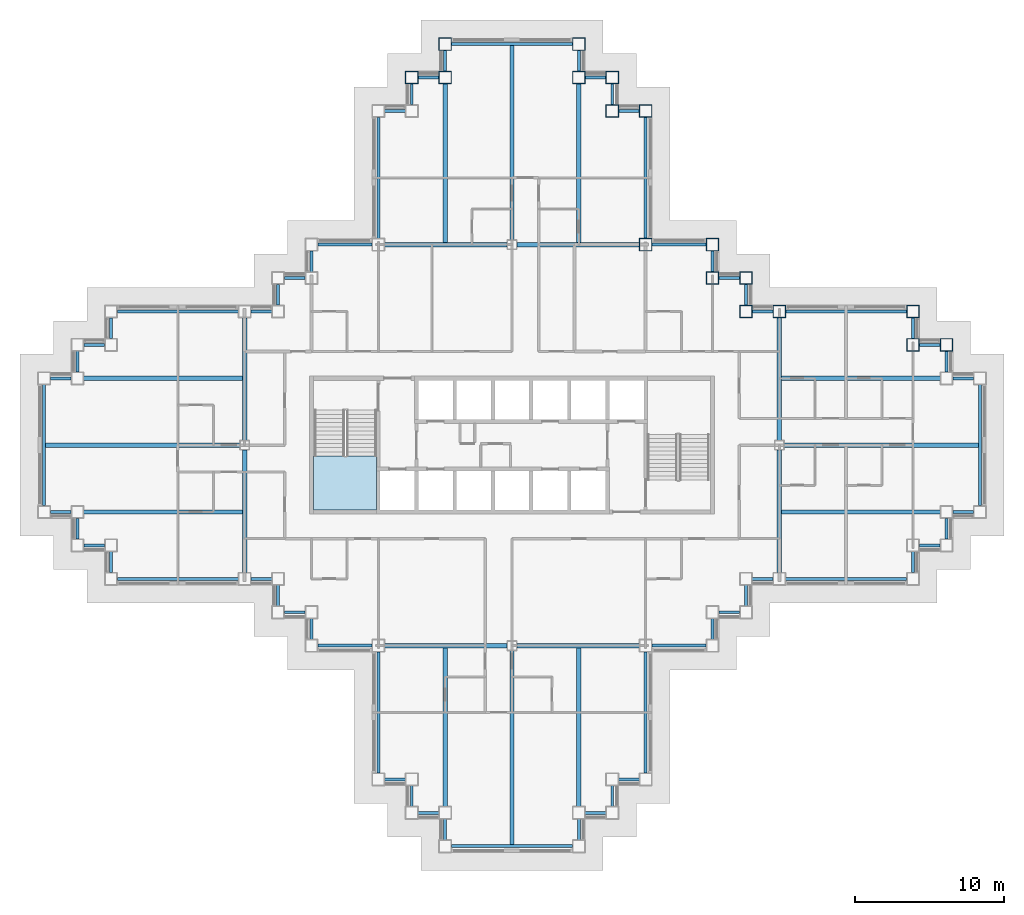
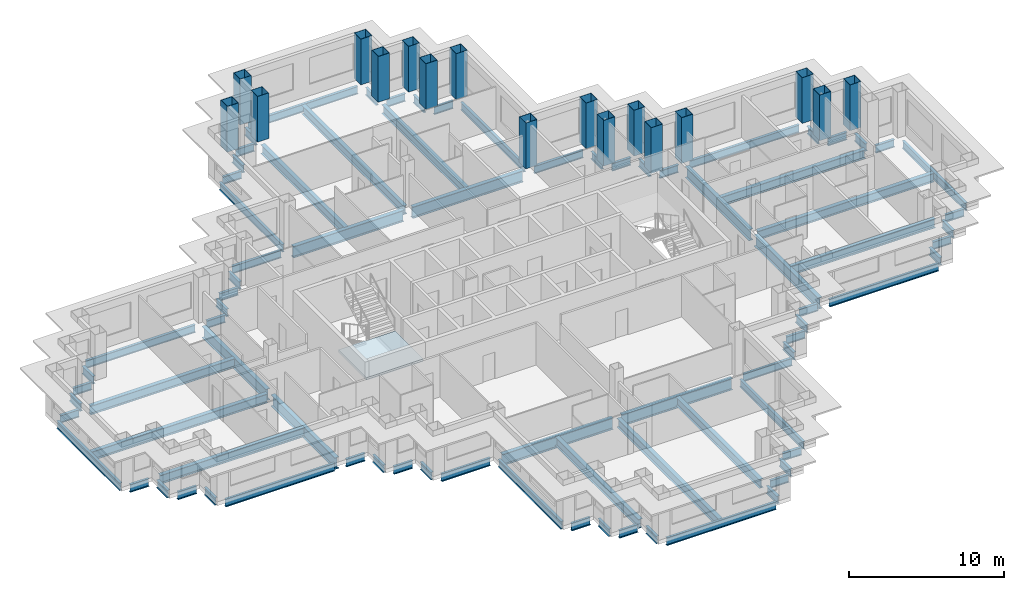
# One storey, part 2 of 15: 84 beams, 17 columns, 1 slab, 1 element without a shape of its own.
"""IFC4 building model written with IfcOpenShell, lengths in metres."""

from ifc_helpers import new_model, si_unit, direction, frame, origin, origin_2d, place, context, subcontext, project, spatial, polyline, hollow_rectangle, i_section, outline, extrude, material, layer, layer_set, material_profile, profile_set, type_object, element, aggregate, save


model = new_model("IFC4")

# Units and contexts
model_context = context("Model", 3, precision=1e-05, world=origin(), true_north=direction((0.0, 1.0)))
body_context = subcontext(model_context, "Body", "Model", "MODEL_VIEW")
ifc_project = project(units=[si_unit("LENGTHUNIT", "METRE"), si_unit("AREAUNIT", "SQUARE_METRE"), si_unit("VOLUMEUNIT", "CUBIC_METRE"), si_unit("PLANEANGLEUNIT", "RADIAN"), si_unit("MASSUNIT", "GRAM", prefix="KILO")], contexts=[model_context])

# Site, building, storey
site_placement = place(None, origin())
site = spatial("IfcSite", under=ifc_project, at=site_placement, CompositionType="ELEMENT")
building_placement = place(site_placement, origin())
building = spatial("IfcBuilding", under=site, at=building_placement, Name="Caravel Reach Hotel and Residences", CompositionType="ELEMENT")
storey_placement = place(building_placement, frame((0.0, 0.0, 122.39990234375)))
storey = spatial("IfcBuildingStorey", under=building, at=storey_placement, Name="L30", CompositionType="ELEMENT", Elevation=122.39990234375)

# Columns
ifc_material_1 = material(Name="Concrete-filled steel tube Q390B with Concrete C70 infill", Category="concrete")
ifc_material_profile_1 = material_profile(ifc_material_1, hollow_rectangle(XDim=0.85009765625, YDim=0.85009765625, WallThickness=0.02587890625, at=origin_2d()), Name="RHS 850x850x26")
ifc_profile_set_1 = profile_set([ifc_material_profile_1], Name="Concrete-filled steel tube Q390B with Concrete C70 infill")
column_type = type_object("IfcColumnType", Name="CFT 850x850 Q390B C70", PredefinedType="COLUMN", material=ifc_profile_set_1)
for number, where, z_axis, x_axis, name in (
    (1, (60.75, 33.75, 0.0), (0.0, 0.0, 1.0), (1.0, 0.0, 0.0), "C13 column"),
    (2, (58.5, 33.75, 0.0), (0.0, 0.0, 1.0), (1.0, 0.0, 0.0), "C13 column"),
    (3, (58.5, 36.0, 0.0), (0.0, 0.0, 1.0), (1.0, 0.0, 0.0), "C13 column"),
    (4, (49.5, 36.0, 0.0), (0.0, 0.0, 1.0), (1.0, 0.0, 0.0), "C13 column"),
    (5, (47.25, 36.0, 0.0), (0.0, 0.0, 1.0), (1.0, 0.0, 0.0), "C13 column"),
    (6, (47.25, 38.25, 0.0), (0.0, 0.0, 1.0), (1.0, 0.0, 0.0), "C13 column"),
    (7, (45.0, 38.25, 0.0), (0.0, 0.0, 1.0), (1.0, 0.0, 0.0), "C13 column"),
    (8, (45.0, 40.5, 0.0), (0.0, 0.0, 1.0), (1.0, 0.0, 0.0), "C13 column"),
    (9, (40.5, 40.5, 0.0), (0.0, 0.0, 1.0), (1.0, 0.0, 0.0), "C13 column"),
    (10, (40.5, 49.5, 0.0), (0.0, 0.0, 1.0), (1.0, 0.0, 0.0), "C13 column"),
    (11, (38.25, 49.5, 0.0), (0.0, 0.0, 1.0), (1.0, 0.0, 0.0), "C13 column"),
    (12, (38.25, 51.75, 0.0), (0.0, 0.0, 1.0), (1.0, 0.0, 0.0), "C13 column"),
    (13, (36.0, 51.75, 0.0), (0.0, 0.0, 1.0), (1.0, 0.0, 0.0), "C13 column"),
    (14, (36.0, 54.0, 0.0), (0.0, 0.0, 1.0), (1.0, 0.0, 0.0), "C13 column"),
    (15, (27.0, 54.0, 0.0), (0.0, 0.0, 1.0), (1.0, 0.0, 0.0), "C13 column"),
    (16, (27.0, 51.75, 0.0), (0.0, 0.0, 1.0), (1.0, 0.0, 0.0), "C13 column"),
    (17, (24.75, 51.75, 0.0), (0.0, 0.0, 1.0), (1.0, 0.0, 0.0), "C13 column"),
):
    element("IfcColumn", number, at=place(storey_placement, frame(where, z_axis=z_axis, x_axis=x_axis)), inside=storey, type_object=column_type, Name=name, PredefinedType="COLUMN", context=body_context, shape_type="SweptSolid", body=[
        extrude(hollow_rectangle(XDim=0.85009765625, YDim=0.85009765625, WallThickness=0.02587890625, at=origin_2d()), origin(), (0.0, 0.0, 1.0), 3.60009765625),
    ])

# Beams
ifc_material_2 = material(Name="Structural steel Q355B", Category="steel")
ifc_material_profile_2 = material_profile(ifc_material_2, i_section(OverallWidth=0.300048828125, OverallDepth=0.699951171875, WebThickness=0.012939453125, FlangeThickness=0.02392578125, FilletRadius=0.01806640625, at=origin_2d()), Name="HN 700x300x13x24")
ifc_profile_set_2 = profile_set([ifc_material_profile_2], Name="Structural steel Q355B")
beam_type_1 = type_object("IfcBeamType", Name="Beam HN 700x300x13x24", PredefinedType="BEAM", material=ifc_profile_set_2)
beam_1_placement = place(storey_placement, frame((27.0, 40.60009765625, -0.64990234375), z_axis=(0.0, 1.0, 0.0), x_axis=(-1.0, 0.0, 0.0)))
element("IfcBeam", 18, at=beam_1_placement, inside=storey, type_object=beam_type_1, Name="B2 HN 700x300x13x24", PredefinedType="BEAM", context=body_context, shape_type="SweptSolid", body=[
    extrude(i_section(OverallWidth=0.300048828125, OverallDepth=0.699951171875, WebThickness=0.012939453125, FlangeThickness=0.02392578125, FilletRadius=0.01806640625, at=origin_2d()), origin(), (0.0, 0.0, 1.0), 10.77490234375),
])
beam_2_placement = place(storey_placement, frame((31.5, 40.77490234375, -0.64990234375), z_axis=(0.0, 1.0, 0.0), x_axis=(-1.0, 0.0, 0.0)))
element("IfcBeam", 19, at=beam_2_placement, inside=storey, type_object=beam_type_1, Name="B2 HN 700x300x13x24", PredefinedType="BEAM", context=body_context, shape_type="SweptSolid", body=[
    extrude(i_section(OverallWidth=0.300048828125, OverallDepth=0.699951171875, WebThickness=0.012939453125, FlangeThickness=0.02392578125, FilletRadius=0.01806640625, at=origin_2d()), origin(), (0.0, 0.0, 1.0), 13.125),
])
for number, where, z_axis, x_axis, name in (
    (20, (36.0, 40.60009765625, -0.64990234375), (0.0, 1.0, 0.0), (-1.0, 0.0, 0.0), "B2 HN 700x300x13x24"),
    (21, (27.0, 13.39990234375, -0.64990234375), (0.0, -1.0, 0.0), (1.0, 0.0, 0.0), "B2 HN 700x300x13x24"),
):
    element("IfcBeam", number, at=place(storey_placement, frame(where, z_axis=z_axis, x_axis=x_axis)), inside=storey, type_object=beam_type_1, Name=name, PredefinedType="BEAM", context=body_context, shape_type="SweptSolid", body=[
        extrude(i_section(OverallWidth=0.300048828125, OverallDepth=0.699951171875, WebThickness=0.012939453125, FlangeThickness=0.02392578125, FilletRadius=0.01806640625, at=origin_2d()), origin(), (0.0, 0.0, 1.0), 10.77490234375),
    ])
beam_3_placement = place(storey_placement, frame((31.5, 13.22509765625, -0.64990234375), z_axis=(0.0, -1.0, 0.0), x_axis=(1.0, 0.0, 0.0)))
element("IfcBeam", 22, at=beam_3_placement, inside=storey, type_object=beam_type_1, Name="B2 HN 700x300x13x24", PredefinedType="BEAM", context=body_context, shape_type="SweptSolid", body=[
    extrude(i_section(OverallWidth=0.300048828125, OverallDepth=0.699951171875, WebThickness=0.012939453125, FlangeThickness=0.02392578125, FilletRadius=0.01806640625, at=origin_2d()), origin(), (0.0, 0.0, 1.0), 13.125),
])
for number, where, z_axis, x_axis, name in (
    (23, (36.0, 13.39990234375, -0.64990234375), (0.0, -1.0, 0.0), (1.0, 0.0, 0.0), "B2 HN 700x300x13x24"),
    (24, (49.60009765625, 22.5, -0.64990234375), (1.0, 0.0, 0.0), (0.0, 1.0, 0.0), "B2 HN 700x300x13x24"),
):
    element("IfcBeam", number, at=place(storey_placement, frame(where, z_axis=z_axis, x_axis=x_axis)), inside=storey, type_object=beam_type_1, Name=name, PredefinedType="BEAM", context=body_context, shape_type="SweptSolid", body=[
        extrude(i_section(OverallWidth=0.300048828125, OverallDepth=0.699951171875, WebThickness=0.012939453125, FlangeThickness=0.02392578125, FilletRadius=0.01806640625, at=origin_2d()), origin(), (0.0, 0.0, 1.0), 10.77490234375),
    ])
beam_4_placement = place(storey_placement, frame((49.77490234375, 27.0, -0.64990234375), z_axis=(1.0, 0.0, 0.0), x_axis=(0.0, 1.0, 0.0)))
element("IfcBeam", 25, at=beam_4_placement, inside=storey, type_object=beam_type_1, Name="B2 HN 700x300x13x24", PredefinedType="BEAM", context=body_context, shape_type="SweptSolid", body=[
    extrude(i_section(OverallWidth=0.300048828125, OverallDepth=0.699951171875, WebThickness=0.012939453125, FlangeThickness=0.02392578125, FilletRadius=0.01806640625, at=origin_2d()), origin(), (0.0, 0.0, 1.0), 13.125),
])
for number, where, z_axis, x_axis, name in (
    (26, (49.60009765625, 31.5, -0.64990234375), (1.0, 0.0, 0.0), (0.0, 1.0, 0.0), "B2 HN 700x300x13x24"),
    (27, (13.39990234375, 22.5, -0.64990234375), (-1.0, 0.0, 0.0), (0.0, -1.0, 0.0), "B2 HN 700x300x13x24"),
):
    element("IfcBeam", number, at=place(storey_placement, frame(where, z_axis=z_axis, x_axis=x_axis)), inside=storey, type_object=beam_type_1, Name=name, PredefinedType="BEAM", context=body_context, shape_type="SweptSolid", body=[
        extrude(i_section(OverallWidth=0.300048828125, OverallDepth=0.699951171875, WebThickness=0.012939453125, FlangeThickness=0.02392578125, FilletRadius=0.01806640625, at=origin_2d()), origin(), (0.0, 0.0, 1.0), 10.77490234375),
    ])
beam_5_placement = place(storey_placement, frame((13.22509765625, 27.0, -0.64990234375), z_axis=(-1.0, 0.0, 0.0), x_axis=(0.0, -1.0, 0.0)))
element("IfcBeam", 28, at=beam_5_placement, inside=storey, type_object=beam_type_1, Name="B2 HN 700x300x13x24", PredefinedType="BEAM", context=body_context, shape_type="SweptSolid", body=[
    extrude(i_section(OverallWidth=0.300048828125, OverallDepth=0.699951171875, WebThickness=0.012939453125, FlangeThickness=0.02392578125, FilletRadius=0.01806640625, at=origin_2d()), origin(), (0.0, 0.0, 1.0), 13.125),
])
beam_6_placement = place(storey_placement, frame((13.39990234375, 31.5, -0.64990234375), z_axis=(-1.0, 0.0, 0.0), x_axis=(0.0, -1.0, 0.0)))
element("IfcBeam", 29, at=beam_6_placement, inside=storey, type_object=beam_type_1, Name="B2 HN 700x300x13x24", PredefinedType="BEAM", context=body_context, shape_type="SweptSolid", body=[
    extrude(i_section(OverallWidth=0.300048828125, OverallDepth=0.699951171875, WebThickness=0.012939453125, FlangeThickness=0.02392578125, FilletRadius=0.01806640625, at=origin_2d()), origin(), (0.0, 0.0, 1.0), 10.77490234375),
])
ifc_material_3 = material(Name="Structural steel Q355B", Category="steel")
ifc_material_profile_3 = material_profile(ifc_material_3, i_section(OverallWidth=0.300048828125, OverallDepth=0.89990234375, WebThickness=0.01611328125, FlangeThickness=0.028076171875, FilletRadius=0.01806640625, at=origin_2d()), Name="HN 900x300x16x28")
ifc_profile_set_3 = profile_set([ifc_material_profile_3], Name="Structural steel Q355B")
beam_type_2 = type_object("IfcBeamType", Name="Beam HN 900x300x16x28", PredefinedType="BEAM", material=ifc_profile_set_3)
for number, where, z_axis, x_axis, name in (
    (30, (22.925048828125, 40.5, -0.75), (1.0, 0.0, 0.0), (0.0, 1.0, 0.0), "B3 HN 900x300x16x28"),
    (31, (31.824951171875, 40.5, -0.75), (1.0, 0.0, 0.0), (0.0, 1.0, 0.0), "B3 HN 900x300x16x28"),
    (32, (22.925048828125, 13.5, -0.75), (1.0, 0.0, 0.0), (0.0, 1.0, 0.0), "B3 HN 900x300x16x28"),
    (33, (31.824951171875, 13.5, -0.75), (1.0, 0.0, 0.0), (0.0, 1.0, 0.0), "B3 HN 900x300x16x28"),
    (34, (13.5, 18.425048828125, -0.75), (0.0, 1.0, 0.0), (-1.0, 0.0, 0.0), "B3 HN 900x300x16x28"),
    (35, (13.5, 27.324951171875, -0.75), (0.0, 1.0, 0.0), (-1.0, 0.0, 0.0), "B3 HN 900x300x16x28"),
    (36, (49.5, 18.425048828125, -0.75), (0.0, 1.0, 0.0), (-1.0, 0.0, 0.0), "B3 HN 900x300x16x28"),
    (37, (49.5, 27.324951171875, -0.75), (0.0, 1.0, 0.0), (-1.0, 0.0, 0.0), "B3 HN 900x300x16x28"),
):
    element("IfcBeam", number, at=place(storey_placement, frame(where, z_axis=z_axis, x_axis=x_axis)), inside=storey, type_object=beam_type_2, Name=name, PredefinedType="BEAM", context=body_context, shape_type="SweptSolid", body=[
        extrude(i_section(OverallWidth=0.300048828125, OverallDepth=0.89990234375, WebThickness=0.01611328125, FlangeThickness=0.028076171875, FilletRadius=0.01806640625, at=origin_2d()), origin(), (0.0, 0.0, 1.0), 8.25),
    ])
ifc_material_4 = material(Name="Structural steel Q355B", Category="steel")
ifc_material_profile_4 = material_profile(ifc_material_4, i_section(OverallWidth=0.199951171875, OverallDepth=0.60009765625, WebThickness=0.010986328125, FlangeThickness=0.01708984375, FilletRadius=0.012939453125, at=origin_2d()), Name="HN 600x200x11x17")
ifc_profile_set_4 = profile_set([ifc_material_profile_4], Name="Structural steel Q355B")
beam_type_3 = type_object("IfcBeamType", Name="Spandrel beam HN 600x200x11x17", PredefinedType="SPANDREL", material=ifc_profile_set_4)
for number, where, z_axis, x_axis, name in (
    (38, (22.925048828125, 4.5, -0.599853515625), (1.0, 0.0, 0.0), (0.0, 1.0, 0.0), "SP1 HN 600x200x11x17"),
    (39, (24.75, 4.074951171875, -0.599853515625), (0.0, -1.0, 0.0), (1.0, 0.0, 0.0), "SP1 HN 600x200x11x17"),
    (40, (25.175048828125, 2.25, -0.599853515625), (1.0, 0.0, 0.0), (0.0, 1.0, 0.0), "SP1 HN 600x200x11x17"),
    (41, (27.0, 1.824951171875, -0.599853515625), (0.0, -1.0, 0.0), (1.0, 0.0, 0.0), "SP1 HN 600x200x11x17"),
):
    element("IfcBeam", number, at=place(storey_placement, frame(where, z_axis=z_axis, x_axis=x_axis)), inside=storey, type_object=beam_type_3, Name=name, PredefinedType="SPANDREL", context=body_context, shape_type="SweptSolid", body=[
        extrude(i_section(OverallWidth=0.199951171875, OverallDepth=0.60009765625, WebThickness=0.010986328125, FlangeThickness=0.01708984375, FilletRadius=0.012939453125, at=origin_2d()), origin(), (0.0, 0.0, 1.0), 1.39990234375),
    ])
beam_7_placement = place(storey_placement, frame((27.425048828125, 0.0, -0.599853515625), z_axis=(1.0, 0.0, 0.0), x_axis=(0.0, 1.0, 0.0)))
element("IfcBeam", 42, at=beam_7_placement, inside=storey, type_object=beam_type_3, Name="SP1 HN 600x200x11x17", PredefinedType="SPANDREL", context=body_context, shape_type="SweptSolid", body=[
    extrude(i_section(OverallWidth=0.199951171875, OverallDepth=0.60009765625, WebThickness=0.010986328125, FlangeThickness=0.01708984375, FilletRadius=0.012939453125, at=origin_2d()), origin(), (0.0, 0.0, 1.0), 8.14990234375),
])
for number, where, z_axis, x_axis, name in (
    (43, (36.0, 0.425048828125, -0.599853515625), (0.0, 1.0, 0.0), (-1.0, 0.0, 0.0), "SP1 HN 600x200x11x17"),
    (44, (36.425048828125, 2.25, -0.599853515625), (1.0, 0.0, 0.0), (0.0, 1.0, 0.0), "SP1 HN 600x200x11x17"),
    (45, (38.25, 2.675048828125, -0.599853515625), (0.0, 1.0, 0.0), (-1.0, 0.0, 0.0), "SP1 HN 600x200x11x17"),
    (46, (38.675048828125, 4.5, -0.599853515625), (1.0, 0.0, 0.0), (0.0, 1.0, 0.0), "SP1 HN 600x200x11x17"),
):
    element("IfcBeam", number, at=place(storey_placement, frame(where, z_axis=z_axis, x_axis=x_axis)), inside=storey, type_object=beam_type_3, Name=name, PredefinedType="SPANDREL", context=body_context, shape_type="SweptSolid", body=[
        extrude(i_section(OverallWidth=0.199951171875, OverallDepth=0.60009765625, WebThickness=0.010986328125, FlangeThickness=0.01708984375, FilletRadius=0.012939453125, at=origin_2d()), origin(), (0.0, 0.0, 1.0), 1.39990234375),
    ])
beam_8_placement = place(storey_placement, frame((40.5, 4.925048828125, -0.599853515625), z_axis=(0.0, 1.0, 0.0), x_axis=(-1.0, 0.0, 0.0)))
element("IfcBeam", 47, at=beam_8_placement, inside=storey, type_object=beam_type_3, Name="SP1 HN 600x200x11x17", PredefinedType="SPANDREL", context=body_context, shape_type="SweptSolid", body=[
    extrude(i_section(OverallWidth=0.199951171875, OverallDepth=0.60009765625, WebThickness=0.010986328125, FlangeThickness=0.01708984375, FilletRadius=0.012939453125, at=origin_2d()), origin(), (0.0, 0.0, 1.0), 8.14990234375),
])
beam_9_placement = place(storey_placement, frame((40.925048828125, 13.5, -0.599853515625), z_axis=(1.0, 0.0, 0.0), x_axis=(0.0, 1.0, 0.0)))
element("IfcBeam", 48, at=beam_9_placement, inside=storey, type_object=beam_type_3, Name="SP1 HN 600x200x11x17", PredefinedType="SPANDREL", context=body_context, shape_type="SweptSolid", body=[
    extrude(i_section(OverallWidth=0.199951171875, OverallDepth=0.60009765625, WebThickness=0.010986328125, FlangeThickness=0.01708984375, FilletRadius=0.012939453125, at=origin_2d()), origin(), (0.0, 0.0, 1.0), 3.64990234375),
])
for number, where, z_axis, x_axis, name in (
    (49, (45.0, 13.925048828125, -0.599853515625), (0.0, 1.0, 0.0), (-1.0, 0.0, 0.0), "SP1 HN 600x200x11x17"),
    (50, (45.425048828125, 15.75, -0.599853515625), (1.0, 0.0, 0.0), (0.0, 1.0, 0.0), "SP1 HN 600x200x11x17"),
    (51, (47.25, 16.175048828125, -0.599853515625), (0.0, 1.0, 0.0), (-1.0, 0.0, 0.0), "SP1 HN 600x200x11x17"),
    (52, (47.675048828125, 18.0, -0.599853515625), (1.0, 0.0, 0.0), (0.0, 1.0, 0.0), "SP1 HN 600x200x11x17"),
):
    element("IfcBeam", number, at=place(storey_placement, frame(where, z_axis=z_axis, x_axis=x_axis)), inside=storey, type_object=beam_type_3, Name=name, PredefinedType="SPANDREL", context=body_context, shape_type="SweptSolid", body=[
        extrude(i_section(OverallWidth=0.199951171875, OverallDepth=0.60009765625, WebThickness=0.010986328125, FlangeThickness=0.01708984375, FilletRadius=0.012939453125, at=origin_2d()), origin(), (0.0, 0.0, 1.0), 1.39990234375),
    ])
beam_10_placement = place(storey_placement, frame((49.925048828125, 18.0, -0.599853515625), z_axis=(1.0, 0.0, 0.0), x_axis=(0.0, 1.0, 0.0)))
element("IfcBeam", 53, at=beam_10_placement, inside=storey, type_object=beam_type_3, Name="SP1 HN 600x200x11x17", PredefinedType="SPANDREL", context=body_context, shape_type="SweptSolid", body=[
    extrude(i_section(OverallWidth=0.199951171875, OverallDepth=0.60009765625, WebThickness=0.010986328125, FlangeThickness=0.01708984375, FilletRadius=0.012939453125, at=origin_2d()), origin(), (0.0, 0.0, 1.0), 8.14990234375),
])
for number, where, z_axis, x_axis, name in (
    (54, (58.5, 18.425048828125, -0.599853515625), (0.0, 1.0, 0.0), (-1.0, 0.0, 0.0), "SP1 HN 600x200x11x17"),
    (55, (58.925048828125, 20.25, -0.599853515625), (1.0, 0.0, 0.0), (0.0, 1.0, 0.0), "SP1 HN 600x200x11x17"),
    (56, (60.75, 20.675048828125, -0.599853515625), (0.0, 1.0, 0.0), (-1.0, 0.0, 0.0), "SP1 HN 600x200x11x17"),
    (57, (61.175048828125, 22.5, -0.599853515625), (1.0, 0.0, 0.0), (0.0, 1.0, 0.0), "SP1 HN 600x200x11x17"),
):
    element("IfcBeam", number, at=place(storey_placement, frame(where, z_axis=z_axis, x_axis=x_axis)), inside=storey, type_object=beam_type_3, Name=name, PredefinedType="SPANDREL", context=body_context, shape_type="SweptSolid", body=[
        extrude(i_section(OverallWidth=0.199951171875, OverallDepth=0.60009765625, WebThickness=0.010986328125, FlangeThickness=0.01708984375, FilletRadius=0.012939453125, at=origin_2d()), origin(), (0.0, 0.0, 1.0), 1.39990234375),
    ])
beam_11_placement = place(storey_placement, frame((63.0, 22.925048828125, -0.599853515625), z_axis=(0.0, 1.0, 0.0), x_axis=(-1.0, 0.0, 0.0)))
element("IfcBeam", 58, at=beam_11_placement, inside=storey, type_object=beam_type_3, Name="SP1 HN 600x200x11x17", PredefinedType="SPANDREL", context=body_context, shape_type="SweptSolid", body=[
    extrude(i_section(OverallWidth=0.199951171875, OverallDepth=0.60009765625, WebThickness=0.010986328125, FlangeThickness=0.01708984375, FilletRadius=0.012939453125, at=origin_2d()), origin(), (0.0, 0.0, 1.0), 8.14990234375),
])
for number, where, z_axis, x_axis, name in (
    (59, (62.574951171875, 31.5, -0.599853515625), (-1.0, 0.0, 0.0), (0.0, -1.0, 0.0), "SP1 HN 600x200x11x17"),
    (60, (60.75, 31.925048828125, -0.599853515625), (0.0, 1.0, 0.0), (-1.0, 0.0, 0.0), "SP1 HN 600x200x11x17"),
    (61, (60.324951171875, 33.75, -0.599853515625), (-1.0, 0.0, 0.0), (0.0, -1.0, 0.0), "SP1 HN 600x200x11x17"),
    (62, (58.5, 34.175048828125, -0.599853515625), (0.0, 1.0, 0.0), (-1.0, 0.0, 0.0), "SP1 HN 600x200x11x17"),
):
    element("IfcBeam", number, at=place(storey_placement, frame(where, z_axis=z_axis, x_axis=x_axis)), inside=storey, type_object=beam_type_3, Name=name, PredefinedType="SPANDREL", context=body_context, shape_type="SweptSolid", body=[
        extrude(i_section(OverallWidth=0.199951171875, OverallDepth=0.60009765625, WebThickness=0.010986328125, FlangeThickness=0.01708984375, FilletRadius=0.012939453125, at=origin_2d()), origin(), (0.0, 0.0, 1.0), 1.39990234375),
    ])
beam_12_placement = place(storey_placement, frame((58.074951171875, 36.0, -0.599853515625), z_axis=(-1.0, 0.0, 0.0), x_axis=(0.0, -1.0, 0.0)))
element("IfcBeam", 63, at=beam_12_placement, inside=storey, type_object=beam_type_3, Name="SP1 HN 600x200x11x17", PredefinedType="SPANDREL", context=body_context, shape_type="SweptSolid", body=[
    extrude(i_section(OverallWidth=0.199951171875, OverallDepth=0.60009765625, WebThickness=0.010986328125, FlangeThickness=0.01708984375, FilletRadius=0.012939453125, at=origin_2d()), origin(), (0.0, 0.0, 1.0), 8.14990234375),
])
for number, where, z_axis, x_axis, name in (
    (64, (49.074951171875, 36.0, -0.599853515625), (-1.0, 0.0, 0.0), (0.0, -1.0, 0.0), "SP1 HN 600x200x11x17"),
    (65, (47.25, 36.425048828125, -0.599853515625), (0.0, 1.0, 0.0), (-1.0, 0.0, 0.0), "SP1 HN 600x200x11x17"),
    (66, (46.824951171875, 38.25, -0.599853515625), (-1.0, 0.0, 0.0), (0.0, -1.0, 0.0), "SP1 HN 600x200x11x17"),
    (67, (45.0, 38.675048828125, -0.599853515625), (0.0, 1.0, 0.0), (-1.0, 0.0, 0.0), "SP1 HN 600x200x11x17"),
):
    element("IfcBeam", number, at=place(storey_placement, frame(where, z_axis=z_axis, x_axis=x_axis)), inside=storey, type_object=beam_type_3, Name=name, PredefinedType="SPANDREL", context=body_context, shape_type="SweptSolid", body=[
        extrude(i_section(OverallWidth=0.199951171875, OverallDepth=0.60009765625, WebThickness=0.010986328125, FlangeThickness=0.01708984375, FilletRadius=0.012939453125, at=origin_2d()), origin(), (0.0, 0.0, 1.0), 1.39990234375),
    ])
beam_13_placement = place(storey_placement, frame((44.574951171875, 40.5, -0.599853515625), z_axis=(-1.0, 0.0, 0.0), x_axis=(0.0, -1.0, 0.0)))
element("IfcBeam", 68, at=beam_13_placement, inside=storey, type_object=beam_type_3, Name="SP1 HN 600x200x11x17", PredefinedType="SPANDREL", context=body_context, shape_type="SweptSolid", body=[
    extrude(i_section(OverallWidth=0.199951171875, OverallDepth=0.60009765625, WebThickness=0.010986328125, FlangeThickness=0.01708984375, FilletRadius=0.012939453125, at=origin_2d()), origin(), (0.0, 0.0, 1.0), 3.64990234375),
])
beam_14_placement = place(storey_placement, frame((40.5, 40.925048828125, -0.599853515625), z_axis=(0.0, 1.0, 0.0), x_axis=(-1.0, 0.0, 0.0)))
element("IfcBeam", 69, at=beam_14_placement, inside=storey, type_object=beam_type_3, Name="SP1 HN 600x200x11x17", PredefinedType="SPANDREL", context=body_context, shape_type="SweptSolid", body=[
    extrude(i_section(OverallWidth=0.199951171875, OverallDepth=0.60009765625, WebThickness=0.010986328125, FlangeThickness=0.01708984375, FilletRadius=0.012939453125, at=origin_2d()), origin(), (0.0, 0.0, 1.0), 8.14990234375),
])
for number, where, z_axis, x_axis, name in (
    (70, (40.074951171875, 49.5, -0.599853515625), (-1.0, 0.0, 0.0), (0.0, -1.0, 0.0), "SP1 HN 600x200x11x17"),
    (71, (38.25, 49.925048828125, -0.599853515625), (0.0, 1.0, 0.0), (-1.0, 0.0, 0.0), "SP1 HN 600x200x11x17"),
    (72, (37.824951171875, 51.75, -0.599853515625), (-1.0, 0.0, 0.0), (0.0, -1.0, 0.0), "SP1 HN 600x200x11x17"),
    (73, (36.0, 52.175048828125, -0.599853515625), (0.0, 1.0, 0.0), (-1.0, 0.0, 0.0), "SP1 HN 600x200x11x17"),
):
    element("IfcBeam", number, at=place(storey_placement, frame(where, z_axis=z_axis, x_axis=x_axis)), inside=storey, type_object=beam_type_3, Name=name, PredefinedType="SPANDREL", context=body_context, shape_type="SweptSolid", body=[
        extrude(i_section(OverallWidth=0.199951171875, OverallDepth=0.60009765625, WebThickness=0.010986328125, FlangeThickness=0.01708984375, FilletRadius=0.012939453125, at=origin_2d()), origin(), (0.0, 0.0, 1.0), 1.39990234375),
    ])
beam_15_placement = place(storey_placement, frame((35.574951171875, 54.0, -0.599853515625), z_axis=(-1.0, 0.0, 0.0), x_axis=(0.0, -1.0, 0.0)))
element("IfcBeam", 74, at=beam_15_placement, inside=storey, type_object=beam_type_3, Name="SP1 HN 600x200x11x17", PredefinedType="SPANDREL", context=body_context, shape_type="SweptSolid", body=[
    extrude(i_section(OverallWidth=0.199951171875, OverallDepth=0.60009765625, WebThickness=0.010986328125, FlangeThickness=0.01708984375, FilletRadius=0.012939453125, at=origin_2d()), origin(), (0.0, 0.0, 1.0), 8.14990234375),
])
for number, where, z_axis, x_axis, name in (
    (75, (27.0, 53.574951171875, -0.599853515625), (0.0, -1.0, 0.0), (1.0, 0.0, 0.0), "SP1 HN 600x200x11x17"),
    (76, (26.574951171875, 51.75, -0.599853515625), (-1.0, 0.0, 0.0), (0.0, -1.0, 0.0), "SP1 HN 600x200x11x17"),
    (77, (24.75, 51.324951171875, -0.599853515625), (0.0, -1.0, 0.0), (1.0, 0.0, 0.0), "SP1 HN 600x200x11x17"),
    (78, (24.324951171875, 49.5, -0.599853515625), (-1.0, 0.0, 0.0), (0.0, -1.0, 0.0), "SP1 HN 600x200x11x17"),
):
    element("IfcBeam", number, at=place(storey_placement, frame(where, z_axis=z_axis, x_axis=x_axis)), inside=storey, type_object=beam_type_3, Name=name, PredefinedType="SPANDREL", context=body_context, shape_type="SweptSolid", body=[
        extrude(i_section(OverallWidth=0.199951171875, OverallDepth=0.60009765625, WebThickness=0.010986328125, FlangeThickness=0.01708984375, FilletRadius=0.012939453125, at=origin_2d()), origin(), (0.0, 0.0, 1.0), 1.39990234375),
    ])
beam_16_placement = place(storey_placement, frame((22.5, 49.074951171875, -0.599853515625), z_axis=(0.0, -1.0, 0.0), x_axis=(1.0, 0.0, 0.0)))
element("IfcBeam", 79, at=beam_16_placement, inside=storey, type_object=beam_type_3, Name="SP1 HN 600x200x11x17", PredefinedType="SPANDREL", context=body_context, shape_type="SweptSolid", body=[
    extrude(i_section(OverallWidth=0.199951171875, OverallDepth=0.60009765625, WebThickness=0.010986328125, FlangeThickness=0.01708984375, FilletRadius=0.012939453125, at=origin_2d()), origin(), (0.0, 0.0, 1.0), 8.14990234375),
])
beam_17_placement = place(storey_placement, frame((22.074951171875, 40.5, -0.599853515625), z_axis=(-1.0, 0.0, 0.0), x_axis=(0.0, -1.0, 0.0)))
element("IfcBeam", 80, at=beam_17_placement, inside=storey, type_object=beam_type_3, Name="SP1 HN 600x200x11x17", PredefinedType="SPANDREL", context=body_context, shape_type="SweptSolid", body=[
    extrude(i_section(OverallWidth=0.199951171875, OverallDepth=0.60009765625, WebThickness=0.010986328125, FlangeThickness=0.01708984375, FilletRadius=0.012939453125, at=origin_2d()), origin(), (0.0, 0.0, 1.0), 3.64990234375),
])
for number, where, z_axis, x_axis, name in (
    (81, (18.0, 40.074951171875, -0.599853515625), (0.0, -1.0, 0.0), (1.0, 0.0, 0.0), "SP1 HN 600x200x11x17"),
    (82, (17.574951171875, 38.25, -0.599853515625), (-1.0, 0.0, 0.0), (0.0, -1.0, 0.0), "SP1 HN 600x200x11x17"),
    (83, (15.75, 37.824951171875, -0.599853515625), (0.0, -1.0, 0.0), (1.0, 0.0, 0.0), "SP1 HN 600x200x11x17"),
    (84, (15.324951171875, 36.0, -0.599853515625), (-1.0, 0.0, 0.0), (0.0, -1.0, 0.0), "SP1 HN 600x200x11x17"),
):
    element("IfcBeam", number, at=place(storey_placement, frame(where, z_axis=z_axis, x_axis=x_axis)), inside=storey, type_object=beam_type_3, Name=name, PredefinedType="SPANDREL", context=body_context, shape_type="SweptSolid", body=[
        extrude(i_section(OverallWidth=0.199951171875, OverallDepth=0.60009765625, WebThickness=0.010986328125, FlangeThickness=0.01708984375, FilletRadius=0.012939453125, at=origin_2d()), origin(), (0.0, 0.0, 1.0), 1.39990234375),
    ])
beam_18_placement = place(storey_placement, frame((13.074951171875, 36.0, -0.599853515625), z_axis=(-1.0, 0.0, 0.0), x_axis=(0.0, -1.0, 0.0)))
element("IfcBeam", 85, at=beam_18_placement, inside=storey, type_object=beam_type_3, Name="SP1 HN 600x200x11x17", PredefinedType="SPANDREL", context=body_context, shape_type="SweptSolid", body=[
    extrude(i_section(OverallWidth=0.199951171875, OverallDepth=0.60009765625, WebThickness=0.010986328125, FlangeThickness=0.01708984375, FilletRadius=0.012939453125, at=origin_2d()), origin(), (0.0, 0.0, 1.0), 8.14990234375),
])
for number, where, z_axis, x_axis, name in (
    (86, (4.5, 35.574951171875, -0.599853515625), (0.0, -1.0, 0.0), (1.0, 0.0, 0.0), "SP1 HN 600x200x11x17"),
    (87, (4.074951171875, 33.75, -0.599853515625), (-1.0, 0.0, 0.0), (0.0, -1.0, 0.0), "SP1 HN 600x200x11x17"),
    (88, (2.25, 33.324951171875, -0.599853515625), (0.0, -1.0, 0.0), (1.0, 0.0, 0.0), "SP1 HN 600x200x11x17"),
    (89, (1.824951171875, 31.5, -0.599853515625), (-1.0, 0.0, 0.0), (0.0, -1.0, 0.0), "SP1 HN 600x200x11x17"),
):
    element("IfcBeam", number, at=place(storey_placement, frame(where, z_axis=z_axis, x_axis=x_axis)), inside=storey, type_object=beam_type_3, Name=name, PredefinedType="SPANDREL", context=body_context, shape_type="SweptSolid", body=[
        extrude(i_section(OverallWidth=0.199951171875, OverallDepth=0.60009765625, WebThickness=0.010986328125, FlangeThickness=0.01708984375, FilletRadius=0.012939453125, at=origin_2d()), origin(), (0.0, 0.0, 1.0), 1.39990234375),
    ])
beam_19_placement = place(storey_placement, frame((0.0, 31.074951171875, -0.599853515625), z_axis=(0.0, -1.0, 0.0), x_axis=(1.0, 0.0, 0.0)))
element("IfcBeam", 90, at=beam_19_placement, inside=storey, type_object=beam_type_3, Name="SP1 HN 600x200x11x17", PredefinedType="SPANDREL", context=body_context, shape_type="SweptSolid", body=[
    extrude(i_section(OverallWidth=0.199951171875, OverallDepth=0.60009765625, WebThickness=0.010986328125, FlangeThickness=0.01708984375, FilletRadius=0.012939453125, at=origin_2d()), origin(), (0.0, 0.0, 1.0), 8.14990234375),
])
for number, where, z_axis, x_axis, name in (
    (91, (0.425048828125, 22.5, -0.599853515625), (1.0, 0.0, 0.0), (0.0, 1.0, 0.0), "SP1 HN 600x200x11x17"),
    (92, (2.25, 22.074951171875, -0.599853515625), (0.0, -1.0, 0.0), (1.0, 0.0, 0.0), "SP1 HN 600x200x11x17"),
    (93, (2.675048828125, 20.25, -0.599853515625), (1.0, 0.0, 0.0), (0.0, 1.0, 0.0), "SP1 HN 600x200x11x17"),
    (94, (4.5, 19.824951171875, -0.599853515625), (0.0, -1.0, 0.0), (1.0, 0.0, 0.0), "SP1 HN 600x200x11x17"),
):
    element("IfcBeam", number, at=place(storey_placement, frame(where, z_axis=z_axis, x_axis=x_axis)), inside=storey, type_object=beam_type_3, Name=name, PredefinedType="SPANDREL", context=body_context, shape_type="SweptSolid", body=[
        extrude(i_section(OverallWidth=0.199951171875, OverallDepth=0.60009765625, WebThickness=0.010986328125, FlangeThickness=0.01708984375, FilletRadius=0.012939453125, at=origin_2d()), origin(), (0.0, 0.0, 1.0), 1.39990234375),
    ])
beam_20_placement = place(storey_placement, frame((4.925048828125, 18.0, -0.599853515625), z_axis=(1.0, 0.0, 0.0), x_axis=(0.0, 1.0, 0.0)))
element("IfcBeam", 95, at=beam_20_placement, inside=storey, type_object=beam_type_3, Name="SP1 HN 600x200x11x17", PredefinedType="SPANDREL", context=body_context, shape_type="SweptSolid", body=[
    extrude(i_section(OverallWidth=0.199951171875, OverallDepth=0.60009765625, WebThickness=0.010986328125, FlangeThickness=0.01708984375, FilletRadius=0.012939453125, at=origin_2d()), origin(), (0.0, 0.0, 1.0), 8.14990234375),
])
for number, where, z_axis, x_axis, name in (
    (96, (13.925048828125, 18.0, -0.599853515625), (1.0, 0.0, 0.0), (0.0, 1.0, 0.0), "SP1 HN 600x200x11x17"),
    (97, (15.75, 17.574951171875, -0.599853515625), (0.0, -1.0, 0.0), (1.0, 0.0, 0.0), "SP1 HN 600x200x11x17"),
    (98, (16.175048828125, 15.75, -0.599853515625), (1.0, 0.0, 0.0), (0.0, 1.0, 0.0), "SP1 HN 600x200x11x17"),
    (99, (18.0, 15.324951171875, -0.599853515625), (0.0, -1.0, 0.0), (1.0, 0.0, 0.0), "SP1 HN 600x200x11x17"),
):
    element("IfcBeam", number, at=place(storey_placement, frame(where, z_axis=z_axis, x_axis=x_axis)), inside=storey, type_object=beam_type_3, Name=name, PredefinedType="SPANDREL", context=body_context, shape_type="SweptSolid", body=[
        extrude(i_section(OverallWidth=0.199951171875, OverallDepth=0.60009765625, WebThickness=0.010986328125, FlangeThickness=0.01708984375, FilletRadius=0.012939453125, at=origin_2d()), origin(), (0.0, 0.0, 1.0), 1.39990234375),
    ])
beam_21_placement = place(storey_placement, frame((18.425048828125, 13.5, -0.599853515625), z_axis=(1.0, 0.0, 0.0), x_axis=(0.0, 1.0, 0.0)))
element("IfcBeam", 100, at=beam_21_placement, inside=storey, type_object=beam_type_3, Name="SP1 HN 600x200x11x17", PredefinedType="SPANDREL", context=body_context, shape_type="SweptSolid", body=[
    extrude(i_section(OverallWidth=0.199951171875, OverallDepth=0.60009765625, WebThickness=0.010986328125, FlangeThickness=0.01708984375, FilletRadius=0.012939453125, at=origin_2d()), origin(), (0.0, 0.0, 1.0), 3.64990234375),
])
beam_22_placement = place(storey_placement, frame((22.5, 13.074951171875, -0.599853515625), z_axis=(0.0, -1.0, 0.0), x_axis=(1.0, 0.0, 0.0)))
element("IfcBeam", 101, at=beam_22_placement, inside=storey, type_object=beam_type_3, Name="SP1 HN 600x200x11x17", PredefinedType="SPANDREL", context=body_context, shape_type="SweptSolid", body=[
    extrude(i_section(OverallWidth=0.199951171875, OverallDepth=0.60009765625, WebThickness=0.010986328125, FlangeThickness=0.01708984375, FilletRadius=0.012939453125, at=origin_2d()), origin(), (0.0, 0.0, 1.0), 8.14990234375),
])

# Stair, slab
ifc_material_5 = material(Name="Concrete C40", Category="concrete")
stair_type = type_object("IfcStairType", Name="Core stair", PredefinedType="HALF_TURN_STAIR", material=ifc_material_5)
stair_placement = place(storey_placement, origin())
stair = element("IfcStair", 102, at=stair_placement, inside=storey, type_object=stair_type, Name="L30 Exit stair A", PredefinedType="HALF_TURN_STAIR")
ifc_material_6 = material(Name="Concrete C40", Category="concrete")
ifc_layer = layer(ifc_material_6, 0.199951171875)
ifc_layer_set = layer_set([ifc_layer], Name="Core stair landing")
slab_type = type_object("IfcSlabType", Name="Core stair landing", PredefinedType="LANDING", material=ifc_layer_set)
slab_placement = place(storey_placement, frame((0.0, 0.0, 1.60009765625)))
slab = element("IfcSlab", 103, at=slab_placement, type_object=slab_type, Name="ST-A landing 1", PredefinedType="LANDING", context=body_context, shape_type="SweptSolid", body=[
    extrude(outline(polyline([(18.14990234375, 26.27001953125), (18.14990234375, 22.64990234375), (22.375, 22.64990234375), (22.375, 26.27001953125), (18.14990234375, 26.27001953125)])), origin(), (0.0, 0.0, 1.0), 0.199951171875),
])
aggregate(stair, [slab])

save(model, "model.ifc")
